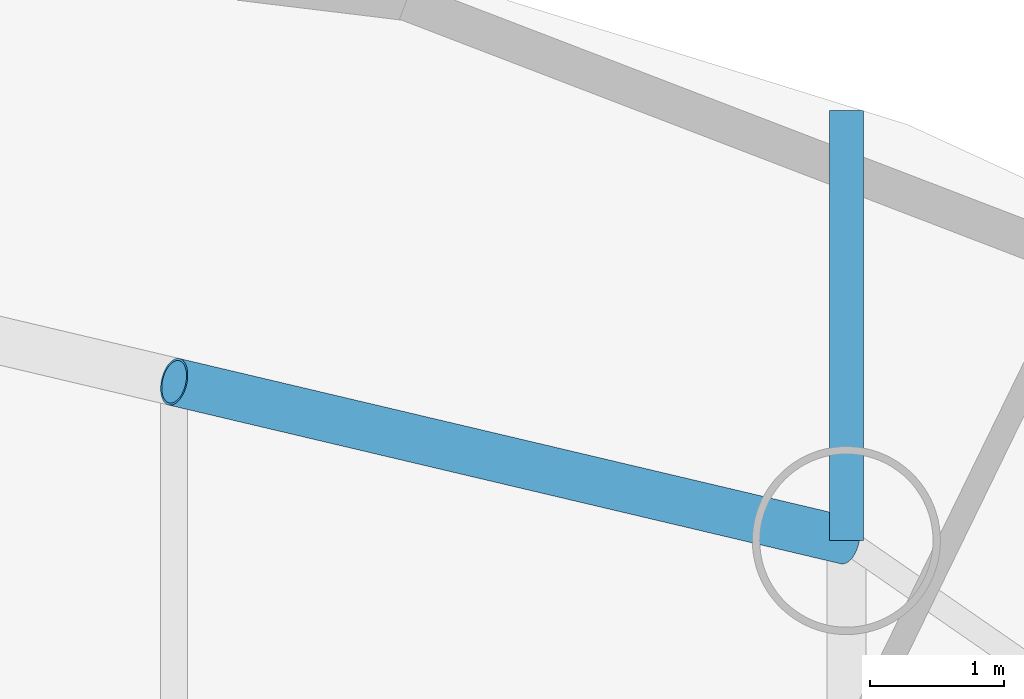
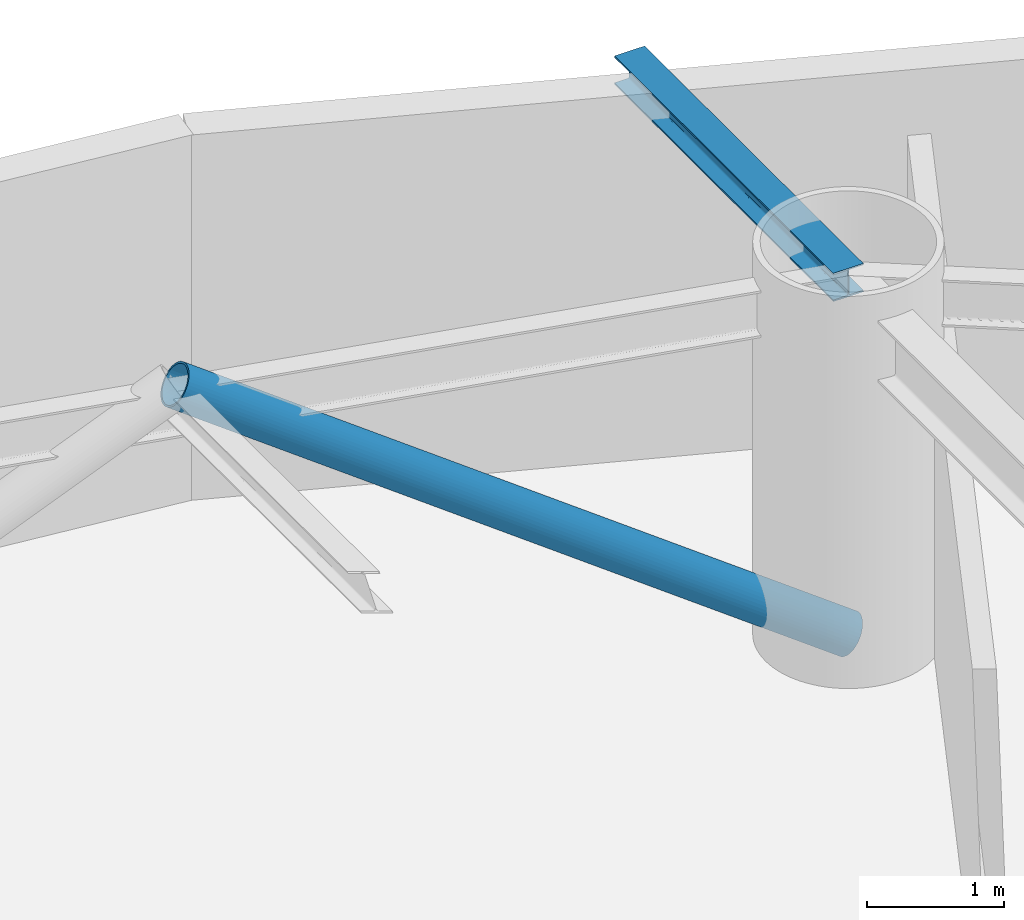
# One storey, part 12 of 20: 1 beam, 1 member.
"""IFC4 building model written with IfcOpenShell, lengths in metres."""

from ifc_helpers import new_model, si_unit, direction, frame, origin, origin_2d, place, context, subcontext, project, spatial, hollow_circle, i_section, extrude, material, material_profile, profile_set, type_object, element, save


model = new_model("IFC4")

# Units and contexts
model_context = context("Model", 3, precision=1e-05, world=origin(), true_north=direction((0.0, 1.0)))
body_context = subcontext(model_context, "Body", "Model", "MODEL_VIEW")
ifc_project = project(units=[si_unit("LENGTHUNIT", "METRE"), si_unit("AREAUNIT", "SQUARE_METRE"), si_unit("VOLUMEUNIT", "CUBIC_METRE"), si_unit("PLANEANGLEUNIT", "RADIAN"), si_unit("MASSUNIT", "GRAM", prefix="KILO")], contexts=[model_context])

# Site, building, storey
site_placement = place(None, origin())
site = spatial("IfcSite", under=ifc_project, at=site_placement, CompositionType="ELEMENT")
building_placement = place(site_placement, origin())
building = spatial("IfcBuilding", under=site, at=building_placement, Name="Bramvorn Convention Spire", CompositionType="ELEMENT")
storey_placement = place(building_placement, frame((0.0, 0.0, 144.800048828125)))
storey = spatial("IfcBuildingStorey", under=building, at=storey_placement, Name="L36", CompositionType="ELEMENT", Elevation=144.800048828125)

# Beam
ifc_material = material(Name="Steel CSA G40.21 Grade 350 (350W)", Category="steel")
ifc_material_profile_1 = material_profile(ifc_material, i_section(OverallWidth=0.25390625, OverallDepth=0.2529296875, WebThickness=0.008544921875, FlangeThickness=0.01416015625, FilletRadius=0.011962890625, at=origin_2d()))
ifc_profile_set_1 = profile_set([ifc_material_profile_1], Name="Steel CSA G40.21 Grade 350 (350W) - W250X73")
beam_type = type_object("IfcBeamType", Name="BM-W250X73", PredefinedType="BEAM", material=ifc_profile_set_1)
beam_placement = place(storey_placement, frame((46.082763671875, 44.154052734375, 3.133544921875), z_axis=(0.0, 1.0, 0.0), x_axis=(-1.0, 0.0, 0.0)))
element("IfcBeam", 1, at=beam_placement, inside=storey, type_object=beam_type, Name="L36 slab-edge cantilever tip beam MC05", PredefinedType="BEAM", context=body_context, shape_type="SweptSolid", body=[
    extrude(i_section(OverallWidth=0.25390625, OverallDepth=0.2529296875, WebThickness=0.008544921875, FlangeThickness=0.01416015625, FilletRadius=0.011962890625, at=origin_2d()), origin(), (0.0, 0.0, 1.0), 3.199951171875),
])

# Member
ifc_material_profile_2 = material_profile(ifc_material, hollow_circle(Radius=0.177734375, WallThickness=0.015869140625, at=origin_2d()))
ifc_profile_set_2 = profile_set([ifc_material_profile_2], Name="Steel CSA G40.21 Grade 350 (350W) - CHS356X16")
member_type = type_object("IfcMemberType", Name="MBR-CHS356X16", PredefinedType="BRACE", material=ifc_profile_set_2)
member_placement = place(storey_placement, frame((46.082763671875, 44.154052734375, 0.0), z_axis=(-0.82191146009, 0.194108103193, 0.53552179792), x_axis=(-0.229843911572, -0.97322750491, 0.0)))
element("IfcMember", 2, at=member_placement, inside=storey, type_object=member_type, Name="L36 perimeter Gothic lancet brace 5A", PredefinedType="BRACE", context=body_context, shape_type="SweptSolid", body=[
    extrude(hollow_circle(Radius=0.177734375, WallThickness=0.015869140625, at=origin_2d()), origin(), (0.0, 0.0, 1.0), 6.087646484375),
])

save(model, "model.ifc")
